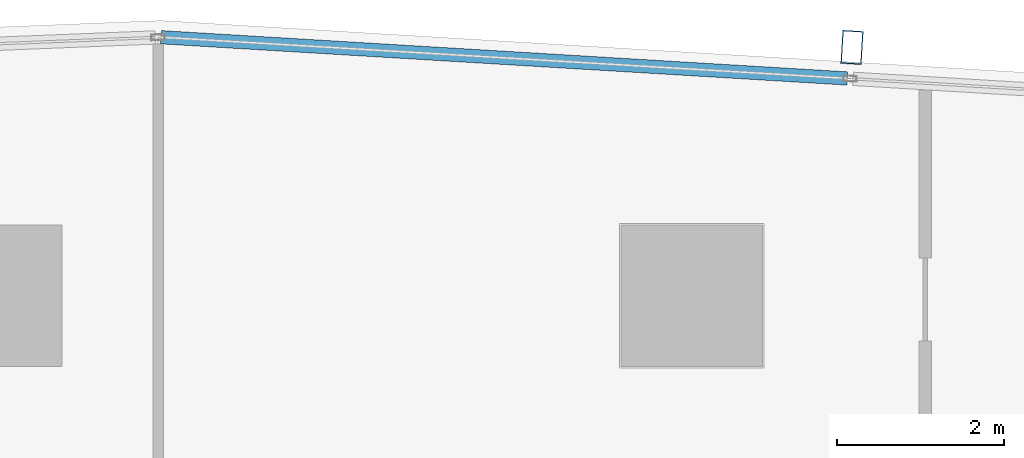
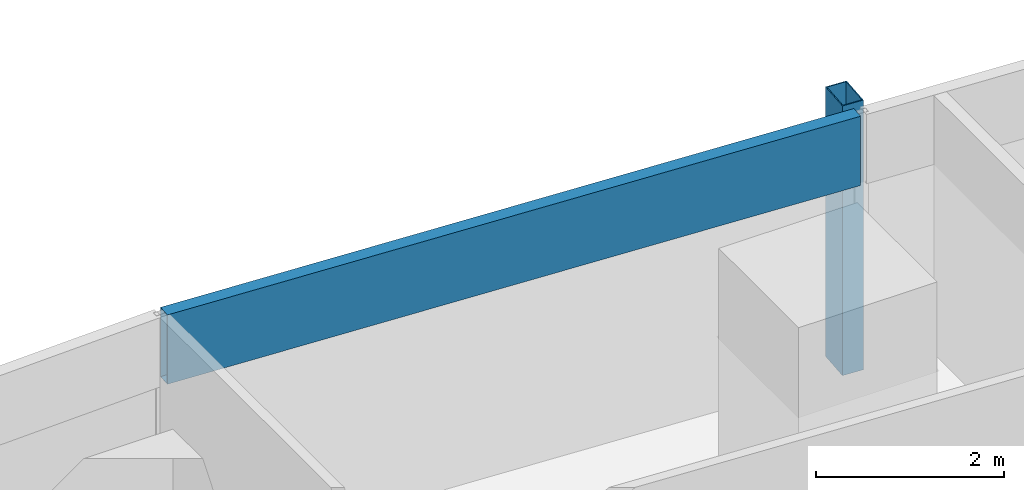
# One storey, part 22 of 40: 2 members, 1 element without a shape of its own.
"""IFC4 building model written with IfcOpenShell, lengths in metres."""

from ifc_helpers import new_model, si_unit, direction, frame, origin, origin_2d, place, context, subcontext, project, spatial, hollow_rectangle, extrude, material, material_profile, profile_set, type_object, element, aggregate, save


model = new_model("IFC4")

# Units and contexts
model_context = context("Model", 3, precision=1e-05, world=origin(), true_north=direction((0.0, 1.0)))
body_context = subcontext(model_context, "Body", "Model", "MODEL_VIEW")
ifc_project = project(units=[si_unit("LENGTHUNIT", "METRE"), si_unit("AREAUNIT", "SQUARE_METRE"), si_unit("VOLUMEUNIT", "CUBIC_METRE"), si_unit("PLANEANGLEUNIT", "RADIAN"), si_unit("MASSUNIT", "GRAM", prefix="KILO")], contexts=[model_context])

# Site, building, storey
site_placement = place(None, origin())
site = spatial("IfcSite", under=ifc_project, at=site_placement, CompositionType="ELEMENT")
building_placement = place(site_placement, origin())
building = spatial("IfcBuilding", under=site, at=building_placement, Name="Rekha Terrace Tower", CompositionType="ELEMENT")
storey_placement = place(building_placement, frame((0.0, 0.0, 136.550048828125)))
storey = spatial("IfcBuildingStorey", under=building, at=storey_placement, Name="L34", CompositionType="ELEMENT", Elevation=136.550048828125)

# Curtain wall, members
ifc_material_1 = material(Name="Aluminium framing", Category="aluminium")
curtain_wall_type = type_object("IfcCurtainWallType", Name="CW3 north unitised glazing", PredefinedType="USERDEFINED", material=ifc_material_1)
curtain_wall_placement = place(storey_placement, origin())
curtain_wall = element("IfcCurtainWall", 1, at=curtain_wall_placement, inside=storey, type_object=curtain_wall_type, Name="CW3 unitised curtain wall", ObjectType="UNITISED CURTAIN WALL", PredefinedType="USERDEFINED")
ifc_material_2 = material(Name="Steel S355 with fluorocarbon finish", Category="steel")
ifc_material_profile_1 = material_profile(ifc_material_2, hollow_rectangle(XDim=0.25, YDim=0.39990234375, WallThickness=0.012451171875, at=origin_2d()), Name="RHS400x250x12.5")
ifc_profile_set_1 = profile_set([ifc_material_profile_1], Name="Steel S355 with fluorocarbon finish")
member_type_1 = type_object("IfcMemberType", Name="BL1 facade blade RHS 400 x 250", PredefinedType="USERDEFINED", material=ifc_profile_set_1)
member_1_placement = place(storey_placement, frame((52.322265625, 61.777587890625, 0.0), z_axis=(0.0, 0.0, 1.0), x_axis=(-0.998199123409, 0.059987582268, 0.0)))
member_1 = element("IfcMember", 2, at=member_1_placement, type_object=member_type_1, Name="Facade blade", ObjectType="FACADE BLADE", PredefinedType="USERDEFINED", context=body_context, shape_type="SweptSolid", body=[
    extrude(hollow_rectangle(XDim=0.25, YDim=0.39990234375, WallThickness=0.012451171875, at=origin_2d()), origin(), (0.0, 0.0, 1.0), 3.5),
])
ifc_material_3 = material(Name="Insulated aluminium spandrel box", Category="aluminium")
ifc_material_profile_2 = material_profile(ifc_material_3, hollow_rectangle(XDim=0.159912109375, YDim=0.89990234375, WallThickness=0.0029296875, at=origin_2d()), Name="AL SPANDREL BOX 160x900")
ifc_profile_set_2 = profile_set([ifc_material_profile_2], Name="Insulated aluminium spandrel box")
member_type_2 = type_object("IfcMemberType", Name="CW3 spandrel transom 160 x 900", PredefinedType="USERDEFINED", material=ifc_profile_set_2)
member_2_placement = place(storey_placement, frame((52.2646484375, 61.4052734375, 3.050048828125), z_axis=(-0.998199102701, 0.059987926845, 0.0), x_axis=(-0.059987926845, -0.998199102701, 0.0)))
member_2 = element("IfcMember", 3, at=member_2_placement, type_object=member_type_2, Name="CW3 spandrel transom 3", ObjectType="TRANSOM", PredefinedType="USERDEFINED", context=body_context, shape_type="SweptSolid", body=[
    extrude(hollow_rectangle(XDim=0.159912109375, YDim=0.89990234375, WallThickness=0.0029296875, at=origin_2d()), origin(), (0.0, 0.0, 1.0), 8.241455078125),
])
aggregate(curtain_wall, [member_2, member_1])

save(model, "model.ifc")
